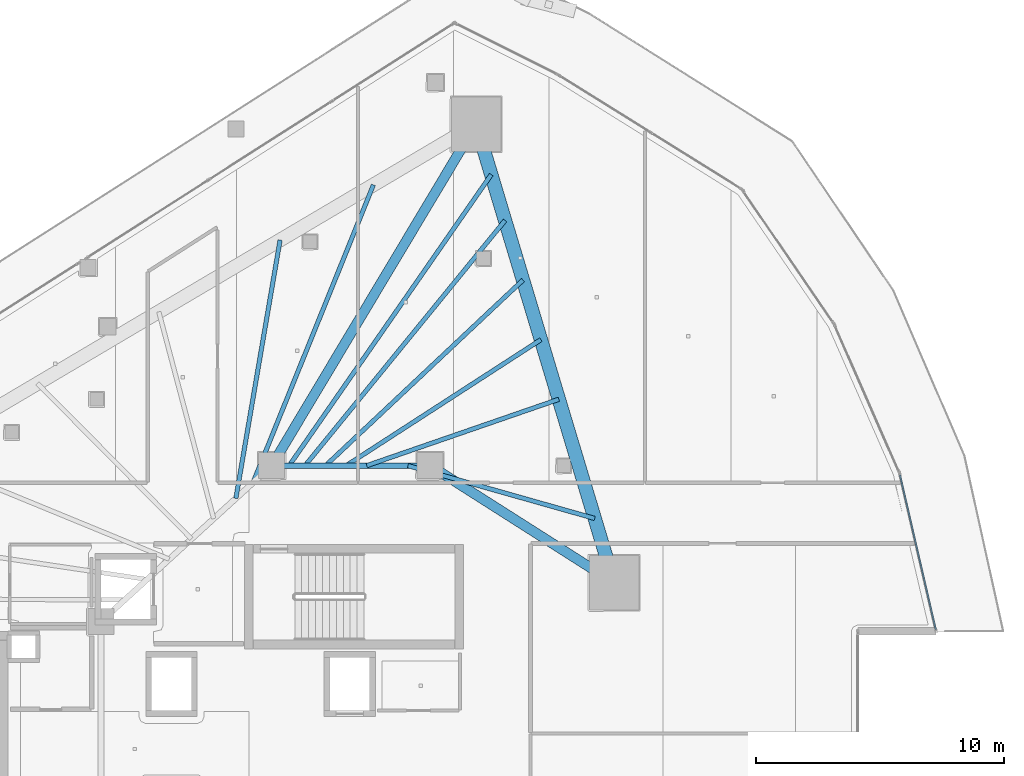
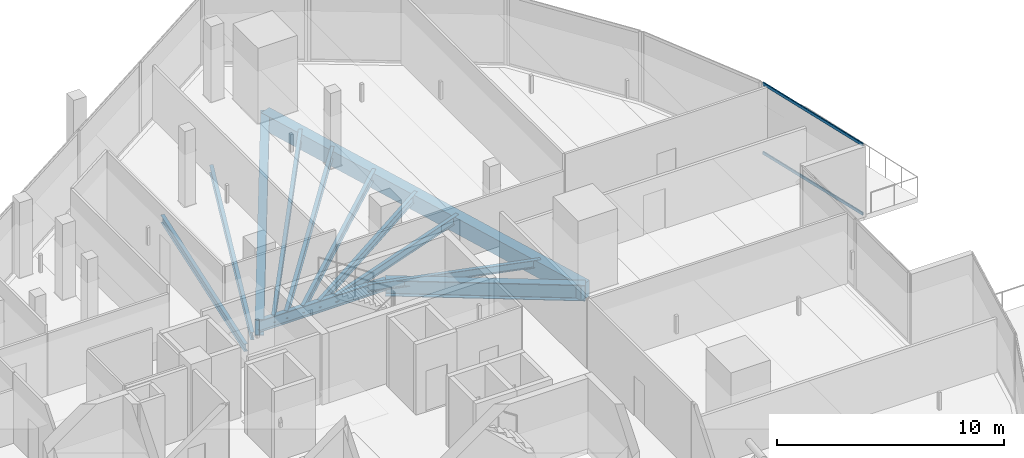
# One storey, part 19 of 38: 12 beams, 2 members, 1 element without a shape of its own.
"""IFC4 building model written with IfcOpenShell, lengths in metres."""

from ifc_helpers import new_model, si_unit, direction, frame, origin, origin_2d, place, context, subcontext, project, spatial, rectangle, hollow_rectangle, i_section, extrude, material, layer, layer_set, material_profile, profile_set, type_object, element, aggregate, save


model = new_model("IFC4")

# Units and contexts
model_context = context("Model", 3, precision=1e-05, world=origin(), true_north=direction((0.0, 1.0)))
body_context = subcontext(model_context, "Body", "Model", "MODEL_VIEW")
ifc_project = project(units=[si_unit("LENGTHUNIT", "METRE"), si_unit("AREAUNIT", "SQUARE_METRE"), si_unit("VOLUMEUNIT", "CUBIC_METRE"), si_unit("PLANEANGLEUNIT", "RADIAN"), si_unit("MASSUNIT", "GRAM", prefix="KILO")], contexts=[model_context])

# Site, building, storey
site_placement = place(None, origin())
site = spatial("IfcSite", under=ifc_project, at=site_placement, CompositionType="ELEMENT")
building_placement = place(site_placement, origin())
building = spatial("IfcBuilding", under=site, at=building_placement, Name="Qorvath Tower", CompositionType="ELEMENT")
storey_placement = place(building_placement, frame((0.0, 0.0, 158.39990234375)))
storey = spatial("IfcBuildingStorey", under=building, at=storey_placement, Name="L36", CompositionType="ELEMENT", Elevation=158.39990234375)

# Beams
ifc_material_1 = material(Name="Steel ASTM A992 Grade 50", Category="steel")
ifc_material_profile_1 = material_profile(ifc_material_1, i_section(OverallWidth=0.39892578125, OverallDepth=0.85498046875, WebThickness=0.018310546875, FlangeThickness=0.029296875, FilletRadius=0.02001953125, at=origin_2d()), Name="W33x201")
ifc_profile_set_1 = profile_set([ifc_material_profile_1], Name="Steel ASTM A992 Grade 50")
beam_type_1 = type_object("IfcBeamType", Name="BM-FG2", PredefinedType="BEAM", material=ifc_profile_set_1)
beam_1_placement = place(storey_placement, frame((-23.60009765625, 11.449951171875, -0.697509765625), z_axis=(0.513497213955, 0.85809126045, 0.0), x_axis=(-0.85809126045, 0.513497213955, 0.0)))
element("IfcBeam", 1, at=beam_1_placement, inside=storey, type_object=beam_type_1, Name="Radial Floor Girder CC1-MC6 L36", PredefinedType="BEAM", context=body_context, shape_type="SweptSolid", body=[
    extrude(i_section(OverallWidth=0.39892578125, OverallDepth=0.85498046875, WebThickness=0.018310546875, FlangeThickness=0.029296875, FilletRadius=0.02001953125, at=origin_2d()), origin(), (0.0, 0.0, 1.0), 16.07763671875),
])
beam_2_placement = place(storey_placement, frame((-17.199951171875, 11.449951171875, -0.697509765625), z_axis=(0.843634090834, -0.536918542037, 0.0), x_axis=(0.536918542037, 0.843634090834, 0.0)))
element("IfcBeam", 2, at=beam_2_placement, inside=storey, type_object=beam_type_1, Name="Radial Floor Girder CC2-MC5 L36", PredefinedType="BEAM", context=body_context, shape_type="SweptSolid", body=[
    extrude(i_section(OverallWidth=0.39892578125, OverallDepth=0.85498046875, WebThickness=0.018310546875, FlangeThickness=0.029296875, FilletRadius=0.02001953125, at=origin_2d()), origin(), (0.0, 0.0, 1.0), 8.806884765625),
])
ifc_material_2 = material(Name="Steel ASTM A992 Grade 50", Category="steel")
ifc_material_profile_2 = material_profile(ifc_material_2, i_section(OverallWidth=0.22998046875, OverallDepth=0.616943359375, WebThickness=0.01318359375, FlangeThickness=0.022216796875, FilletRadius=0.014892578125, at=origin_2d()), Name="W24x94")
ifc_profile_set_2 = profile_set([ifc_material_profile_2], Name="Steel ASTM A992 Grade 50")
beam_type_2 = type_object("IfcBeamType", Name="BM-FG6", PredefinedType="BEAM", material=ifc_profile_set_2)
beam_3_placement = place(storey_placement, frame((-23.60009765625, 11.449951171875, -0.57861328125), z_axis=(1.0, 0.0, 0.0), x_axis=(0.0, 1.0, 0.0)))
element("IfcBeam", 3, at=beam_3_placement, inside=storey, type_object=beam_type_2, Name="Core Ring Girder CC1-CC2 L36", PredefinedType="BEAM", context=body_context, shape_type="SweptSolid", body=[
    extrude(i_section(OverallWidth=0.22998046875, OverallDepth=0.616943359375, WebThickness=0.01318359375, FlangeThickness=0.022216796875, FilletRadius=0.014892578125, at=origin_2d()), origin(), (0.0, 0.0, 1.0), 6.400146484375),
])
ifc_material_3 = material(Name="Steel ASTM A992 Grade 50", Category="steel")
ifc_material_profile_3 = material_profile(ifc_material_3, i_section(OverallWidth=0.177978515625, OverallDepth=0.406005859375, WebThickness=0.0078125, FlangeThickness=0.0126953125, FilletRadius=0.010986328125, at=origin_2d()), Name="W16x40")
ifc_profile_set_3 = profile_set([ifc_material_profile_3], Name="Steel ASTM A992 Grade 50")
beam_type_3 = type_object("IfcBeamType", Name="BM-FJ3", PredefinedType="JOIST", material=ifc_profile_set_3)
beam_4_placement = place(storey_placement, frame((-18.095947265625, 11.449951171875, -0.472900390625), z_axis=(0.962222206221, -0.272265359264, 0.0), x_axis=(0.272265359264, 0.962222206221, 0.0)))
element("IfcBeam", 4, at=beam_4_placement, inside=storey, type_object=beam_type_3, Name="Composite Floor Joist NE1 L36", PredefinedType="JOIST", context=body_context, shape_type="SweptSolid", body=[
    extrude(i_section(OverallWidth=0.177978515625, OverallDepth=0.406005859375, WebThickness=0.0078125, FlangeThickness=0.0126953125, FilletRadius=0.010986328125, at=origin_2d()), origin(), (0.0, 0.0, 1.0), 7.841552734375),
])
beam_5_placement = place(storey_placement, frame((-19.760009765625, 11.449951171875, -0.472900390625), z_axis=(0.945168345309, 0.326583525342, 0.0), x_axis=(-0.326583525342, 0.945168345309, 0.0)))
element("IfcBeam", 5, at=beam_5_placement, inside=storey, type_object=beam_type_3, Name="Composite Floor Joist NE3 L36", PredefinedType="JOIST", context=body_context, shape_type="SweptSolid", body=[
    extrude(i_section(OverallWidth=0.177978515625, OverallDepth=0.406005859375, WebThickness=0.0078125, FlangeThickness=0.0126953125, FilletRadius=0.010986328125, at=origin_2d()), origin(), (0.0, 0.0, 1.0), 8.21044921875),
])
beam_6_placement = place(storey_placement, frame((-20.592041015625, 11.449951171875, -0.472900390625), z_axis=(0.839630966809, 0.543157288062, 0.0), x_axis=(-0.543157288062, 0.839630966809, 0.0)))
element("IfcBeam", 6, at=beam_6_placement, inside=storey, type_object=beam_type_3, Name="Composite Floor Joist NE4 L36", PredefinedType="JOIST", context=body_context, shape_type="SweptSolid", body=[
    extrude(i_section(OverallWidth=0.177978515625, OverallDepth=0.406005859375, WebThickness=0.0078125, FlangeThickness=0.0126953125, FilletRadius=0.010986328125, at=origin_2d()), origin(), (0.0, 0.0, 1.0), 9.370361328125),
])
beam_7_placement = place(storey_placement, frame((-21.424072265625, 11.449951171875, -0.472900390625), z_axis=(0.728572459091, 0.684968737866, 0.0), x_axis=(-0.684968737866, 0.728572459091, 0.0)))
element("IfcBeam", 7, at=beam_7_placement, inside=storey, type_object=beam_type_3, Name="Composite Floor Joist NE5 L36", PredefinedType="JOIST", context=body_context, shape_type="SweptSolid", body=[
    extrude(i_section(OverallWidth=0.177978515625, OverallDepth=0.406005859375, WebThickness=0.0078125, FlangeThickness=0.0126953125, FilletRadius=0.010986328125, at=origin_2d()), origin(), (0.0, 0.0, 1.0), 10.9462890625),
])
beam_8_placement = place(storey_placement, frame((-22.256103515625, 11.449951171875, -0.472900390625), z_axis=(0.632187975212, 0.774815051478, 0.0), x_axis=(-0.774815051478, 0.632187975212, 0.0)))
element("IfcBeam", 8, at=beam_8_placement, inside=storey, type_object=beam_type_3, Name="Composite Floor Joist NE6 L36", PredefinedType="JOIST", context=body_context, shape_type="SweptSolid", body=[
    extrude(i_section(OverallWidth=0.177978515625, OverallDepth=0.406005859375, WebThickness=0.0078125, FlangeThickness=0.0126953125, FilletRadius=0.010986328125, at=origin_2d()), origin(), (0.0, 0.0, 1.0), 12.784912109375),
])
beam_9_placement = place(storey_placement, frame((-22.89599609375, 11.449951171875, -0.472900390625), z_axis=(0.570366725248, 0.821390162304, 0.0), x_axis=(-0.821390162304, 0.570366725248, 0.0)))
element("IfcBeam", 9, at=beam_9_placement, inside=storey, type_object=beam_type_3, Name="Composite Floor Joist NE7 L36", PredefinedType="JOIST", context=body_context, shape_type="SweptSolid", body=[
    extrude(i_section(OverallWidth=0.177978515625, OverallDepth=0.406005859375, WebThickness=0.0078125, FlangeThickness=0.0126953125, FilletRadius=0.010986328125, at=origin_2d()), origin(), (0.0, 0.0, 1.0), 14.3154296875),
])
beam_10_placement = place(storey_placement, frame((-25.049072265625, 10.126953125, -0.472900390625), z_axis=(0.168745594245, 0.985659639238, 0.0), x_axis=(-0.985659639238, 0.168745594245, 0.0)))
element("IfcBeam", 10, at=beam_10_placement, inside=storey, type_object=beam_type_3, Name="Composite Floor Joist NW6 L36", PredefinedType="JOIST", context=body_context, shape_type="SweptSolid", body=[
    extrude(i_section(OverallWidth=0.177978515625, OverallDepth=0.406005859375, WebThickness=0.0078125, FlangeThickness=0.0126953125, FilletRadius=0.010986328125, at=origin_2d()), origin(), (0.0, 0.0, 1.0), 10.589111328125),
])
beam_11_placement = place(storey_placement, frame((-24.35888671875, 10.757080078125, -0.472900390625), z_axis=(0.37487652097, 0.927074751045, 0.0), x_axis=(-0.927074751045, 0.37487652097, 0.0)))
element("IfcBeam", 11, at=beam_11_placement, inside=storey, type_object=beam_type_3, Name="Composite Floor Joist NW7 L36", PredefinedType="JOIST", context=body_context, shape_type="SweptSolid", body=[
    extrude(i_section(OverallWidth=0.177978515625, OverallDepth=0.406005859375, WebThickness=0.0078125, FlangeThickness=0.0126953125, FilletRadius=0.010986328125, at=origin_2d()), origin(), (0.0, 0.0, 1.0), 12.9833984375),
])
ifc_material_4 = material(Name="Concrete C50/60", Category="concrete")
ifc_material_profile_4 = material_profile(ifc_material_4, rectangle(XDim=0.550048828125, YDim=0.85009765625, at=origin_2d()), Name="RCB 850x550")
ifc_profile_set_4 = profile_set([ifc_material_profile_4], Name="Concrete C50/60")
beam_type_4 = type_object("IfcBeamType", Name="BM-RCB2", PredefinedType="SPANDREL", material=ifc_profile_set_4)
beam_12_placement = place(storey_placement, frame((-9.770263671875, 6.721435546875, -0.695068359375), z_axis=(-0.288133952099, 0.957590113591, 0.0), x_axis=(-0.957590113591, -0.288133952099, 0.0)))
element("IfcBeam", 12, at=beam_12_placement, inside=storey, type_object=beam_type_4, Name="Perimeter Loggia Frame Beam MC5-MC6 L36", PredefinedType="SPANDREL", context=body_context, shape_type="SweptSolid", body=[
    extrude(rectangle(XDim=0.550048828125, YDim=0.85009765625, at=origin_2d()), origin(), (0.0, 0.0, 1.0), 19.344970703125),
])

# Curtain wall, members
ifc_material_5 = material(Name="Anodised aluminium and triple low-E glass", Category="aluminium")
ifc_layer = layer(ifc_material_5, 0.179931640625)
ifc_layer_set = layer_set([ifc_layer], Name="CW-SYS-5")
curtain_wall_type = type_object("IfcCurtainWallType", Name="CW-SYS-5", PredefinedType="NOTDEFINED", material=ifc_layer_set)
curtain_wall_placement = place(storey_placement, origin())
curtain_wall = element("IfcCurtainWall", 13, at=curtain_wall_placement, inside=storey, type_object=curtain_wall_type, Name="Curtain Wall CW-5 CW-T-L36-11.1", PredefinedType="NOTDEFINED")
ifc_material_6 = material(Name="Anodised aluminium 6063-T6", Category="aluminium")
ifc_material_profile_5 = material_profile(ifc_material_6, hollow_rectangle(XDim=0.06494140625, YDim=0.159912109375, WallThickness=0.00341796875, InnerFilletRadius=0.00341796875, OuterFilletRadius=0.007080078125, at=origin_2d()), Name="CWT 160x65")
ifc_profile_set_5 = profile_set([ifc_material_profile_5], Name="Anodised aluminium 6063-T6")
member_type = type_object("IfcMemberType", Name="CWT-160", PredefinedType="USERDEFINED", material=ifc_profile_set_5)
member_1_placement = place(storey_placement, frame((3.229248046875, 4.824951171875, 0.032470703125), z_axis=(-0.225778572487, 0.974178646967, 0.0), x_axis=(-0.974178646967, -0.225778572487, 0.0)))
member_1 = element("IfcMember", 14, at=member_1_placement, type_object=member_type, Name="CW-5 transom 1.1", ObjectType="TRANSOM", PredefinedType="USERDEFINED", context=body_context, shape_type="SweptSolid", body=[
    extrude(hollow_rectangle(XDim=0.06494140625, YDim=0.159912109375, WallThickness=0.00341796875, InnerFilletRadius=0.00341796875, OuterFilletRadius=0.007080078125, at=origin_2d()), origin(), (0.0, 0.0, 1.0), 6.4208984375),
])
member_2_placement = place(storey_placement, frame((3.229248046875, 4.824951171875, 3.74755859375), z_axis=(-0.225778572487, 0.974178646967, 0.0), x_axis=(-0.974178646967, -0.225778572487, 0.0)))
member_2 = element("IfcMember", 15, at=member_2_placement, type_object=member_type, Name="CW-5 transom 1.2", ObjectType="TRANSOM", PredefinedType="USERDEFINED", context=body_context, shape_type="SweptSolid", body=[
    extrude(hollow_rectangle(XDim=0.06494140625, YDim=0.159912109375, WallThickness=0.00341796875, InnerFilletRadius=0.00341796875, OuterFilletRadius=0.007080078125, at=origin_2d()), origin(), (0.0, 0.0, 1.0), 6.4208984375),
])
aggregate(curtain_wall, [member_1, member_2])

save(model, "model.ifc")
